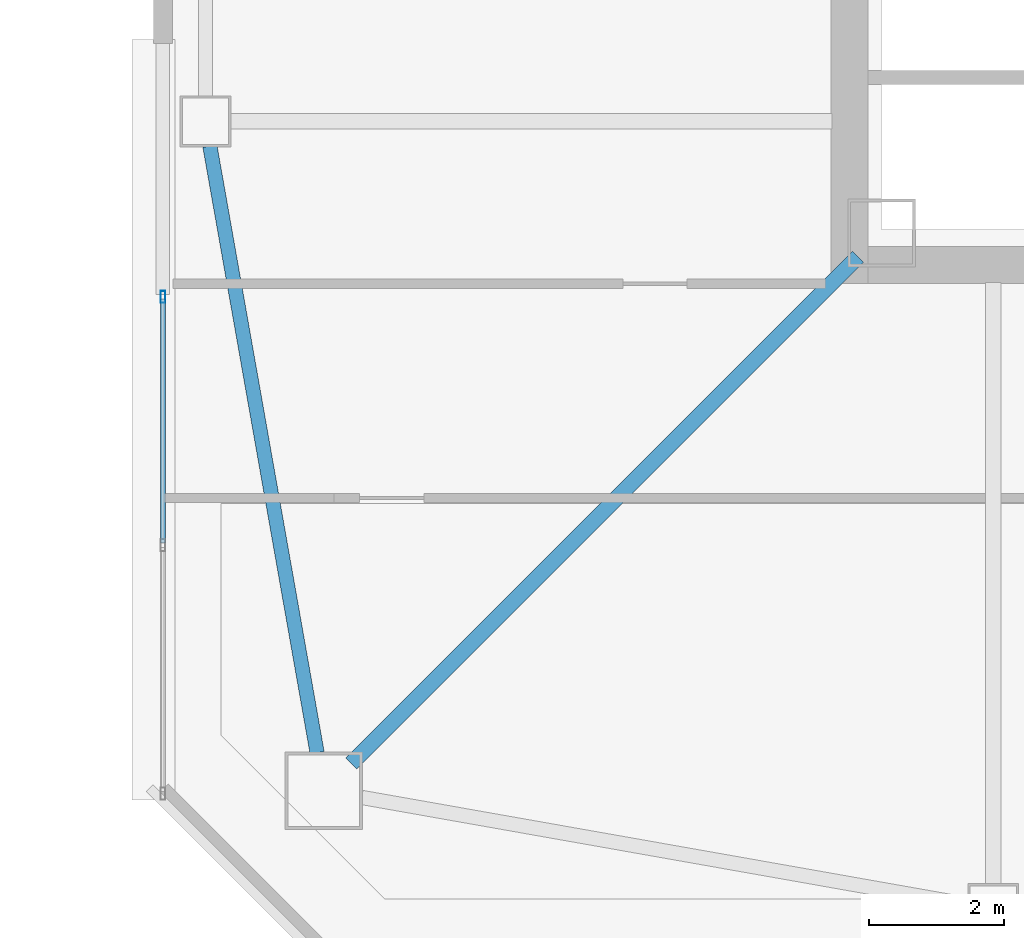
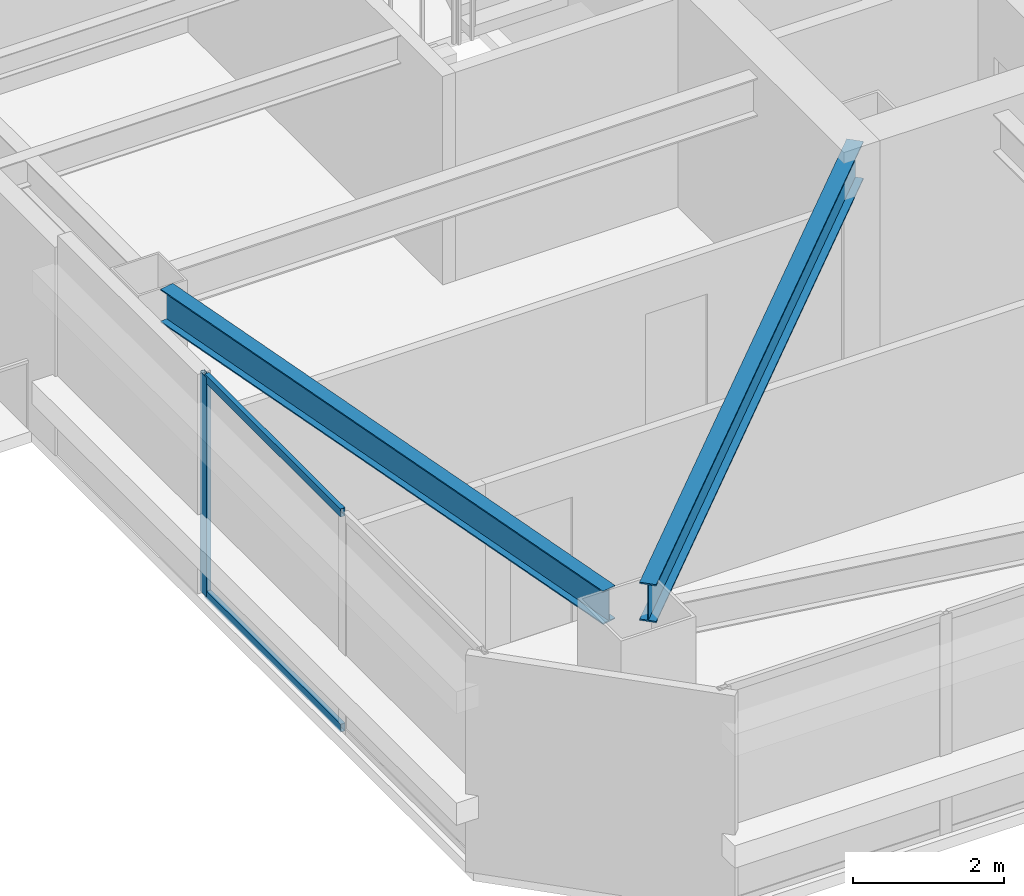
# One storey, part 4 of 43: 3 members, 2 beams, 1 element without a shape of its own.
"""IFC4 building model written with IfcOpenShell, lengths in metres."""

from ifc_helpers import new_model, si_unit, direction, frame, origin, origin_2d, place, context, subcontext, project, spatial, hollow_rectangle, i_section, extrude, material, material_profile, profile_set, type_object, element, aggregate, save


model = new_model("IFC4")

# Units and contexts
model_context = context("Model", 3, precision=1e-05, world=origin(), true_north=direction((0.0, 1.0)))
body_context = subcontext(model_context, "Body", "Model", "MODEL_VIEW")
ifc_project = project(units=[si_unit("LENGTHUNIT", "METRE"), si_unit("AREAUNIT", "SQUARE_METRE"), si_unit("VOLUMEUNIT", "CUBIC_METRE"), si_unit("PLANEANGLEUNIT", "RADIAN"), si_unit("MASSUNIT", "GRAM", prefix="KILO")], contexts=[model_context])

# Site, building, storey
site_placement = place(None, origin())
site = spatial("IfcSite", under=ifc_project, at=site_placement, CompositionType="ELEMENT")
building_placement = place(site_placement, origin())
building = spatial("IfcBuilding", under=site, at=building_placement, Name="Tashvorn Skyway Center", CompositionType="ELEMENT")
storey_placement = place(building_placement, frame((0.0, 0.0, 185.39990234375)))
storey = spatial("IfcBuildingStorey", under=building, at=storey_placement, Name="L50", CompositionType="ELEMENT", Elevation=185.39990234375)

# Beams
ifc_material_1 = material(Name="Steel ASTM A992 Grade 50", Category="steel")
ifc_material_profile_1 = material_profile(ifc_material_1, i_section(OverallWidth=0.22998046875, OverallDepth=0.616943359375, WebThickness=0.01318359375, FlangeThickness=0.022216796875, at=origin_2d()), Name="W24X94")
ifc_profile_set_1 = profile_set([ifc_material_profile_1], Name="Steel ASTM A992 Grade 50")
beam_type_1 = type_object("IfcBeamType", Name="BM-BEAM-W24X94", PredefinedType="BEAM", material=ifc_profile_set_1)
beam_1_placement = place(storey_placement, frame((27.10302734375, 17.10302734375, 3.0615234375), z_axis=(0.707106781187, 0.707106781187, 0.0), x_axis=(-0.707106781187, 0.707106781187, 0.0)))
element("IfcBeam", 1, at=beam_1_placement, inside=storey, type_object=beam_type_1, Name="Tower 1 L50 Primary Floor Girder MC-SW", PredefinedType="BEAM", context=body_context, shape_type="SweptSolid", body=[
    extrude(i_section(OverallWidth=0.22998046875, OverallDepth=0.616943359375, WebThickness=0.01318359375, FlangeThickness=0.022216796875, at=origin_2d()), origin(), (0.0, 0.0, 1.0), 10.6025390625),
])
ifc_material_profile_2 = material_profile(ifc_material_1, i_section(OverallWidth=0.2109375, OverallDepth=0.5390625, WebThickness=0.01171875, FlangeThickness=0.018798828125, at=origin_2d()), Name="W21X73")
ifc_profile_set_2 = profile_set([ifc_material_profile_2], Name="Steel ASTM A992 Grade 50")
beam_type_2 = type_object("IfcBeamType", Name="BM-SPANDREL-W21X73", PredefinedType="SPANDREL", material=ifc_profile_set_2)
beam_2_placement = place(storey_placement, frame((25.014404296875, 26.235595703125, 3.1005859375), z_axis=(0.174074160933, -0.984732545667, 0.0), x_axis=(0.984732545667, 0.174074160933, 0.0)))
element("IfcBeam", 2, at=beam_2_placement, inside=storey, type_object=beam_type_2, Name="Tower 1 L50 Spandrel Beam 12", PredefinedType="SPANDREL", context=body_context, shape_type="SweptSolid", body=[
    extrude(i_section(OverallWidth=0.2109375, OverallDepth=0.5390625, WebThickness=0.01171875, FlangeThickness=0.018798828125, at=origin_2d()), origin(), (0.0, 0.0, 1.0), 9.113525390625),
])

# Curtain wall, members
ifc_material_2 = material(Name="Thermally broken bronze-anodized aluminium 6063-T6", Category="aluminium")
curtain_wall_type = type_object("IfcCurtainWallType", Name="CW-CW-Z4", PredefinedType="NOTDEFINED", material=ifc_material_2)
curtain_wall_placement = place(storey_placement, origin())
curtain_wall = element("IfcCurtainWall", 3, at=curtain_wall_placement, inside=storey, type_object=curtain_wall_type, Name="Tower 1 L50 West Curtain Wall L Glazing Group 1", PredefinedType="NOTDEFINED")
ifc_material_profile_3 = material_profile(ifc_material_2, hollow_rectangle(XDim=0.070068359375, YDim=0.179931640625, WallThickness=0.00390625, at=origin_2d()), Name="ALU-MULL-70x180")
ifc_profile_set_3 = profile_set([ifc_material_profile_3], Name="Thermally broken bronze-anodized aluminium 6063-T6")
member_type_1 = type_object("IfcMemberType", Name="CWM-CW-Z4", PredefinedType="MULLION", material=ifc_profile_set_3)
member_1_placement = place(storey_placement, frame((24.320068359375, 24.0048828125, 0.0), z_axis=(0.0, 0.0, 1.0), x_axis=(-1.0, 0.0, 0.0)))
member_1 = element("IfcMember", 4, at=member_1_placement, type_object=member_type_1, Name="CW-Z4 mullion 3", PredefinedType="MULLION", context=body_context, shape_type="SweptSolid", body=[
    extrude(hollow_rectangle(XDim=0.070068359375, YDim=0.179931640625, WallThickness=0.00390625, at=origin_2d()), origin(), (0.0, 0.0, 1.0), 3.550048828125),
])
ifc_material_profile_4 = material_profile(ifc_material_2, hollow_rectangle(XDim=0.070068359375, YDim=0.1298828125, WallThickness=0.00390625, at=origin_2d()), Name="ALU-TRAN-70x130")
ifc_profile_set_4 = profile_set([ifc_material_profile_4], Name="Thermally broken bronze-anodized aluminium 6063-T6")
member_type_2 = type_object("IfcMemberType", Name="CWT-CW-Z4", PredefinedType="USERDEFINED", material=ifc_profile_set_4)
member_2_placement = place(storey_placement, frame((24.320068359375, 20.364990234375, 0.03515625), z_axis=(0.0, 1.0, 0.0), x_axis=(-1.0, 0.0, 0.0)))
member_2 = element("IfcMember", 5, at=member_2_placement, type_object=member_type_2, Name="CW-Z4 transom 2.1", ObjectType="TRANSOM", PredefinedType="USERDEFINED", context=body_context, shape_type="SweptSolid", body=[
    extrude(hollow_rectangle(XDim=0.070068359375, YDim=0.1298828125, WallThickness=0.00390625, at=origin_2d()), origin(), (0.0, 0.0, 1.0), 3.60498046875),
])
member_3_placement = place(storey_placement, frame((24.320068359375, 20.364990234375, 3.51513671875), z_axis=(0.0, 1.0, 0.0), x_axis=(-1.0, 0.0, 0.0)))
member_3 = element("IfcMember", 6, at=member_3_placement, type_object=member_type_2, Name="CW-Z4 transom 2.2", ObjectType="TRANSOM", PredefinedType="USERDEFINED", context=body_context, shape_type="SweptSolid", body=[
    extrude(hollow_rectangle(XDim=0.070068359375, YDim=0.1298828125, WallThickness=0.00390625, at=origin_2d()), origin(), (0.0, 0.0, 1.0), 3.60498046875),
])
aggregate(curtain_wall, [member_1, member_2, member_3])

save(model, "model.ifc")
